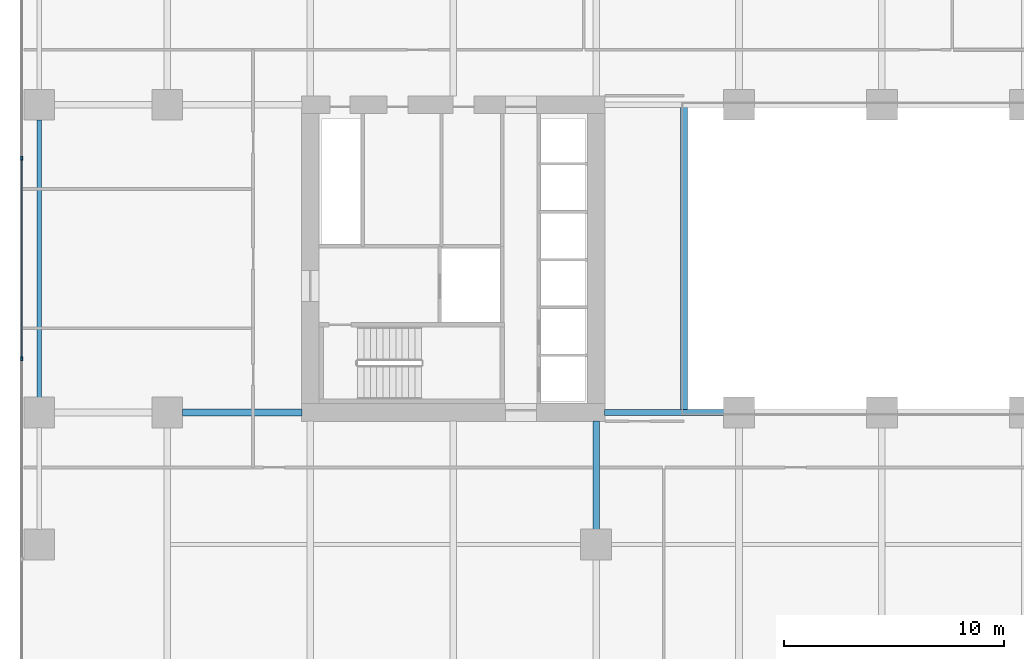
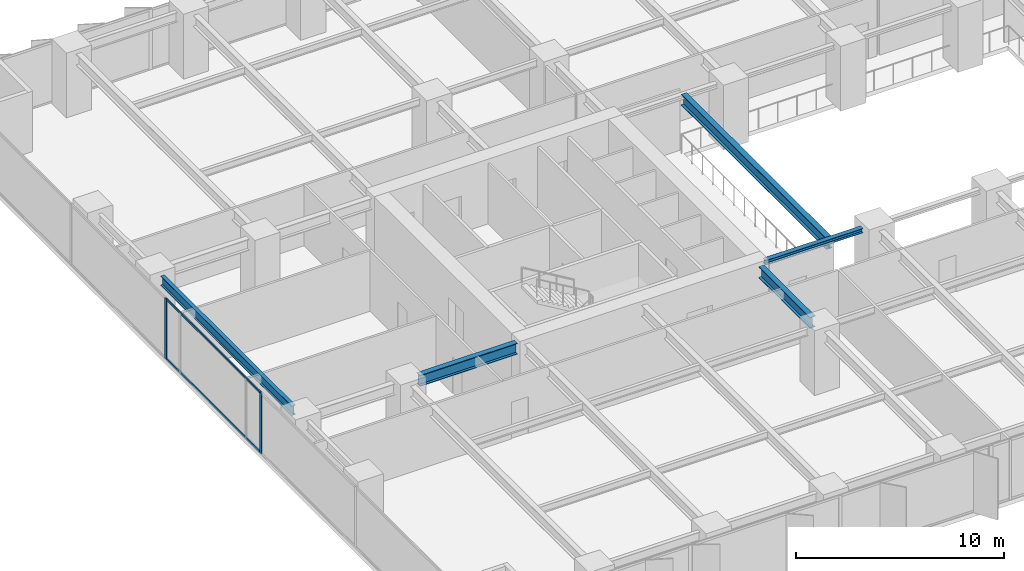
# One storey, part 4 of 20: 5 beams, 4 members, 1 element without a shape of its own.
"""IFC4 building model written with IfcOpenShell, lengths in metres."""

from ifc_helpers import new_model, si_unit, direction, frame, origin, origin_2d, place, context, subcontext, project, spatial, rectangle, i_section, extrude, material, layer, layer_set, material_profile, profile_set, type_object, element, aggregate, save


model = new_model("IFC4")

# Units and contexts
model_context = context("Model", 3, precision=1e-05, world=origin(), true_north=direction((0.0, 1.0)))
body_context = subcontext(model_context, "Body", "Model", "MODEL_VIEW")
ifc_project = project(units=[si_unit("LENGTHUNIT", "METRE"), si_unit("AREAUNIT", "SQUARE_METRE"), si_unit("VOLUMEUNIT", "CUBIC_METRE"), si_unit("PLANEANGLEUNIT", "RADIAN"), si_unit("MASSUNIT", "GRAM", prefix="KILO")], contexts=[model_context])

# Site, building, storey
site_placement = place(None, origin())
site = spatial("IfcSite", under=ifc_project, at=site_placement, CompositionType="ELEMENT")
building_placement = place(site_placement, origin())
building = spatial("IfcBuilding", under=site, at=building_placement, Name="Putna Gate Headquarters", CompositionType="ELEMENT")
storey_placement = place(building_placement, frame((0.0, 0.0, 58.199951171875)))
storey = spatial("IfcBuildingStorey", under=building, at=storey_placement, Name="L13", CompositionType="ELEMENT", Elevation=58.199951171875)

# Beams
ifc_material_1 = material(Name="Steel S355J2", Category="steel")
ifc_material_profile_1 = material_profile(ifc_material_1, i_section(OverallWidth=0.260009765625, OverallDepth=0.260009765625, WebThickness=0.010009765625, FlangeThickness=0.017578125, at=origin_2d()), Name="Steel S355J2")
ifc_profile_set_1 = profile_set([ifc_material_profile_1], Name="Steel S355J2")
beam_type_1 = type_object("IfcBeamType", Name="BM-ATRIUM-HEB260", PredefinedType="BEAM", material=ifc_profile_set_1)
beam_1_placement = place(storey_placement, frame((26.385009765625, 19.0, 3.420166015625), z_axis=(1.0, 0.0, 0.0), x_axis=(0.0, 1.0, 0.0)))
element("IfcBeam", 1, at=beam_1_placement, inside=storey, type_object=beam_type_1, Name="L13 Atrium Edge Beam AS1", PredefinedType="BEAM", context=body_context, shape_type="SweptSolid", body=[
    extrude(i_section(OverallWidth=0.260009765625, OverallDepth=0.260009765625, WebThickness=0.010009765625, FlangeThickness=0.017578125, at=origin_2d()), origin(), (0.0, 0.0, 1.0), 5.427001953125),
])
ifc_material_profile_2 = material_profile(ifc_material_1, i_section(OverallWidth=0.300048828125, OverallDepth=0.64990234375, WebThickness=0.01611328125, FlangeThickness=0.031005859375, at=origin_2d()), Name="Steel S355J2")
ifc_profile_set_2 = profile_set([ifc_material_profile_2], Name="Steel S355J2")
beam_type_2 = type_object("IfcBeamType", Name="BM-GIRD-Z1-HEB650", PredefinedType="USERDEFINED", material=ifc_profile_set_2)
beam_2_placement = place(storey_placement, frame((7.18798828125, 19.0, 3.22509765625), z_axis=(1.0, 0.0, 0.0), x_axis=(0.0, 1.0, 0.0)))
element("IfcBeam", 2, at=beam_2_placement, inside=storey, type_object=beam_type_2, Name="L13 West Wing Girder Y19-2", ObjectType="GIRDER", PredefinedType="USERDEFINED", context=body_context, shape_type="SweptSolid", body=[
    extrude(i_section(OverallWidth=0.300048828125, OverallDepth=0.64990234375, WebThickness=0.01611328125, FlangeThickness=0.031005859375, at=origin_2d()), origin(), (0.0, 0.0, 1.0), 5.427001953125),
])
beam_3_placement = place(storey_placement, frame((26.0, 13.68798828125, 3.22509765625), z_axis=(0.0, 1.0, 0.0), x_axis=(-1.0, 0.0, 0.0)))
element("IfcBeam", 3, at=beam_3_placement, inside=storey, type_object=beam_type_2, Name="L13 South Primary Girder X26-2", ObjectType="GIRDER", PredefinedType="USERDEFINED", context=body_context, shape_type="SweptSolid", body=[
    extrude(i_section(OverallWidth=0.300048828125, OverallDepth=0.64990234375, WebThickness=0.01611328125, FlangeThickness=0.031005859375, at=origin_2d()), origin(), (0.0, 0.0, 1.0), 4.927001953125),
])
beam_4_placement = place(storey_placement, frame((30.0, 19.010009765625, 3.22509765625), z_axis=(0.0, 1.0, 0.0), x_axis=(-1.0, 0.0, 0.0)))
element("IfcBeam", 4, at=beam_4_placement, inside=storey, type_object=beam_type_2, Name="L13 Atrium Trim Girder AW", ObjectType="GIRDER", PredefinedType="USERDEFINED", context=body_context, shape_type="SweptSolid", body=[
    extrude(i_section(OverallWidth=0.300048828125, OverallDepth=0.64990234375, WebThickness=0.01611328125, FlangeThickness=0.031005859375, at=origin_2d()), origin(), (0.0, 0.0, 1.0), 13.97998046875),
])
ifc_material_profile_3 = material_profile(ifc_material_1, i_section(OverallWidth=0.2099609375, OverallDepth=0.550048828125, WebThickness=0.010986328125, FlangeThickness=0.01708984375, at=origin_2d()), Name="Steel S355J2")
ifc_profile_set_3 = profile_set([ifc_material_profile_3], Name="Steel S355J2")
beam_type_3 = type_object("IfcBeamType", Name="BM-SPAN-Z1-IPE550", PredefinedType="SPANDREL", material=ifc_profile_set_3)
beam_5_placement = place(storey_placement, frame((0.679931640625, 19.68798828125, 3.275146484375), z_axis=(0.0, 1.0, 0.0), x_axis=(-1.0, 0.0, 0.0)))
element("IfcBeam", 5, at=beam_5_placement, inside=storey, type_object=beam_type_3, Name="L13 W End Spandrel 2", PredefinedType="SPANDREL", context=body_context, shape_type="SweptSolid", body=[
    extrude(i_section(OverallWidth=0.2099609375, OverallDepth=0.550048828125, WebThickness=0.010986328125, FlangeThickness=0.01708984375, at=origin_2d()), origin(), (0.0, 0.0, 1.0), 12.6240234375),
])

# Curtain wall, members
ifc_material_2 = material(Name="Anodised bronze aluminium curtain wall", Category="aluminium")
ifc_layer = layer(ifc_material_2, 0.179931640625)
ifc_layer_set = layer_set([ifc_layer], Name="Anodised bronze aluminium curtain wall")
curtain_wall_type = type_object("IfcCurtainWallType", Name="CW-SYS-Z1", PredefinedType="USERDEFINED", material=ifc_layer_set)
curtain_wall_placement = place(storey_placement, origin())
curtain_wall = element("IfcCurtainWall", 6, at=curtain_wall_placement, inside=storey, type_object=curtain_wall_type, Name="L13 West Curtain Wall", ObjectType="STICK CURTAIN WALL", PredefinedType="USERDEFINED")
ifc_material_3 = material(Name="Anodised bronze aluminium EN AW-6060", Category="aluminium")
ifc_material_profile_4 = material_profile(ifc_material_3, rectangle(XDim=0.070068359375, YDim=0.179931640625, at=origin_2d()), Name="Anodised bronze aluminium EN AW-6060")
ifc_profile_set_4 = profile_set([ifc_material_profile_4], Name="Anodised bronze aluminium EN AW-6060")
member_type_1 = type_object("IfcMemberType", Name="MULL-CWM-1", PredefinedType="MULLION", material=ifc_profile_set_4)
member_1_placement = place(storey_placement, frame((-0.1201171875, 21.43994140625, 0.0), z_axis=(0.0, 0.0, 1.0), x_axis=(-1.0, 0.0, 0.0)))
member_1 = element("IfcMember", 7, at=member_1_placement, type_object=member_type_1, Name="CWS-1 mullion 3", PredefinedType="MULLION", context=body_context, shape_type="SweptSolid", body=[
    extrude(rectangle(XDim=0.070068359375, YDim=0.179931640625, at=origin_2d()), origin(), (0.0, 0.0, 1.0), 3.550048828125),
])
member_2_placement = place(storey_placement, frame((-0.1201171875, 30.56005859375, 0.0), z_axis=(0.0, 0.0, 1.0), x_axis=(-1.0, 0.0, 0.0)))
member_2 = element("IfcMember", 8, at=member_2_placement, type_object=member_type_1, Name="CWS-1 mullion 4", PredefinedType="MULLION", context=body_context, shape_type="SweptSolid", body=[
    extrude(rectangle(XDim=0.070068359375, YDim=0.179931640625, at=origin_2d()), origin(), (0.0, 0.0, 1.0), 3.550048828125),
])
ifc_material_profile_5 = material_profile(ifc_material_3, rectangle(XDim=0.06494140625, YDim=0.1201171875, at=origin_2d()), Name="Anodised bronze aluminium EN AW-6060")
ifc_profile_set_5 = profile_set([ifc_material_profile_5], Name="Anodised bronze aluminium EN AW-6060")
member_type_2 = type_object("IfcMemberType", Name="TRAN-CWT-1", PredefinedType="USERDEFINED", material=ifc_profile_set_5)
member_3_placement = place(storey_placement, frame((-0.1201171875, 21.47509765625, 0.032470703125), z_axis=(0.0, 1.0, 0.0), x_axis=(-1.0, 0.0, 0.0)))
member_3 = element("IfcMember", 9, at=member_3_placement, type_object=member_type_2, Name="CWS-1 transom 3.1", ObjectType="TRANSOM", PredefinedType="USERDEFINED", context=body_context, shape_type="SweptSolid", body=[
    extrude(rectangle(XDim=0.06494140625, YDim=0.1201171875, at=origin_2d()), origin(), (0.0, 0.0, 1.0), 9.0498046875),
])
member_4_placement = place(storey_placement, frame((-0.1201171875, 21.47509765625, 3.517578125), z_axis=(0.0, 1.0, 0.0), x_axis=(-1.0, 0.0, 0.0)))
member_4 = element("IfcMember", 10, at=member_4_placement, type_object=member_type_2, Name="CWS-1 transom 3.2", ObjectType="TRANSOM", PredefinedType="USERDEFINED", context=body_context, shape_type="SweptSolid", body=[
    extrude(rectangle(XDim=0.06494140625, YDim=0.1201171875, at=origin_2d()), origin(), (0.0, 0.0, 1.0), 9.0498046875),
])
aggregate(curtain_wall, [member_1, member_2, member_3, member_4])

save(model, "model.ifc")
